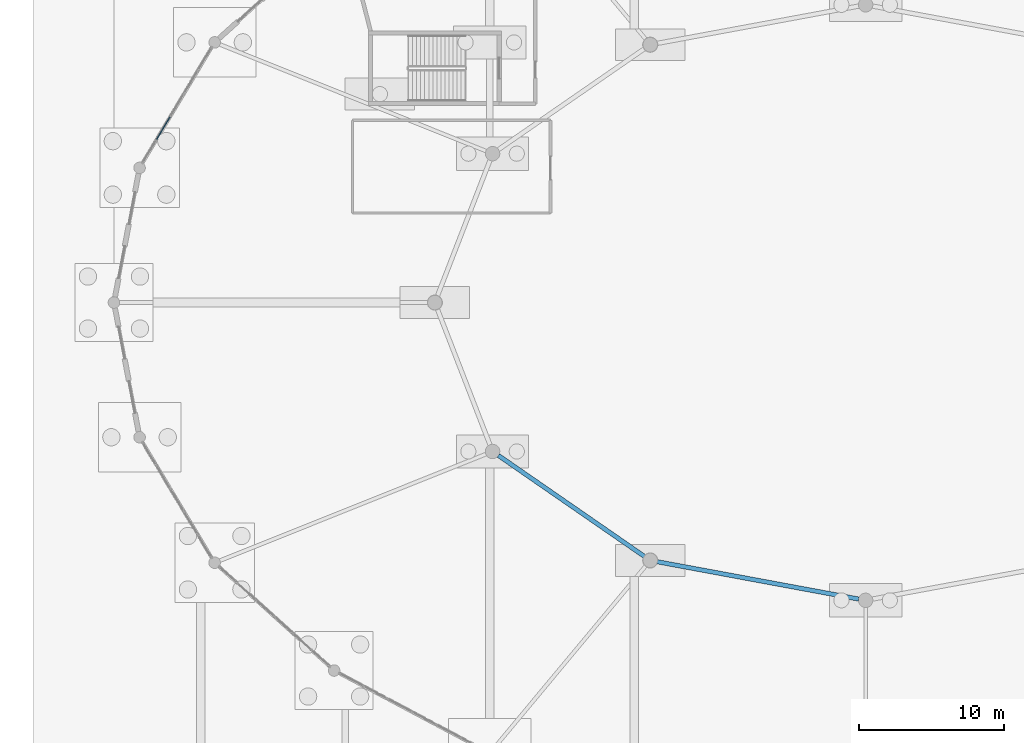
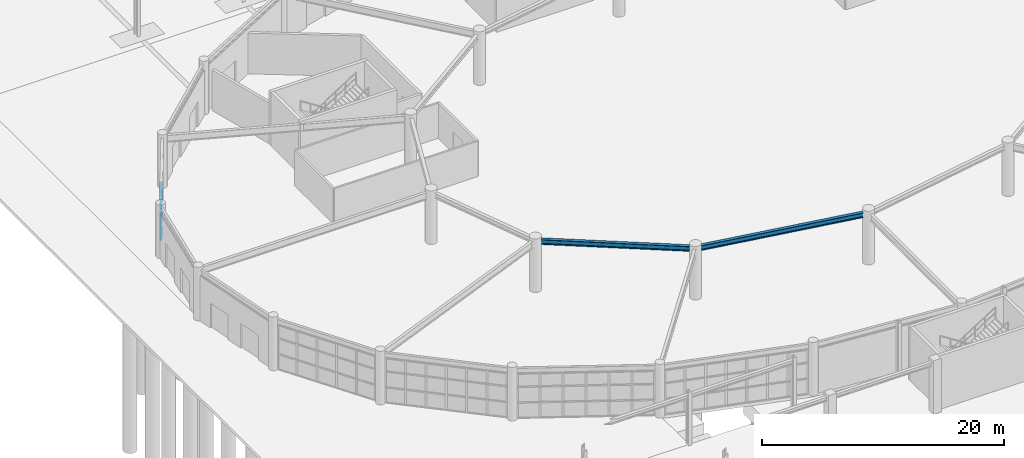
# One storey, part 40 of 99: 4 members, 2 beams, 1 element without a shape of its own.
"""IFC4 building model written with IfcOpenShell, lengths in metres."""

from ifc_helpers import new_model, si_unit, direction, frame, origin, origin_2d, place, context, subcontext, project, spatial, rectangle, i_section, extrude, material, layer, layer_set, material_profile, profile_set, type_object, element, aggregate, save


model = new_model("IFC4")

# Units and contexts
model_context = context("Model", 3, precision=1e-05, world=origin(), true_north=direction((0.0, 1.0)))
body_context = subcontext(model_context, "Body", "Model", "MODEL_VIEW")
ifc_project = project(units=[si_unit("LENGTHUNIT", "METRE"), si_unit("AREAUNIT", "SQUARE_METRE"), si_unit("VOLUMEUNIT", "CUBIC_METRE"), si_unit("PLANEANGLEUNIT", "RADIAN"), si_unit("MASSUNIT", "GRAM", prefix="KILO")], contexts=[model_context])

# Site, building, storey
site_placement = place(None, origin())
site = spatial("IfcSite", under=ifc_project, at=site_placement, CompositionType="ELEMENT")
building_placement = place(site_placement, origin())
building = spatial("IfcBuilding", under=site, at=building_placement, Name="Kivolera Central Railway Station", CompositionType="ELEMENT")
storey_placement = place(building_placement, origin())
storey = spatial("IfcBuildingStorey", under=building, at=storey_placement, Name="L00", CompositionType="ELEMENT", Elevation=0.0)

# Beams
ifc_material_1 = material(Name="Steel S355", Category="steel")
ifc_material_profile_1 = material_profile(ifc_material_1, i_section(OverallWidth=0.300048828125, OverallDepth=0.489990234375, WebThickness=0.011962890625, FlangeThickness=0.02294921875, FilletRadius=0.027099609375, at=origin_2d()), Name="HEA 500")
ifc_profile_set_1 = profile_set([ifc_material_profile_1], Name="Steel S355")
beam_type = type_object("IfcBeamType", Name="BM-SHD-HEA500", PredefinedType="BEAM", material=ifc_profile_set_1)
beam_1_placement = place(storey_placement, frame((38.594970703125, 79.4208984375, 4.863037109375), z_axis=(0.822641407904, -0.568560563179, 0.0), x_axis=(0.568560563179, 0.822641407904, 0.0)))
element("IfcBeam", 1, at=beam_1_placement, inside=storey, type_object=beam_type, Name="L00 Oval Inner Gallery Ring Beam 08", PredefinedType="BEAM", context=body_context, shape_type="SweptSolid", body=[
    extrude(i_section(OverallWidth=0.300048828125, OverallDepth=0.489990234375, WebThickness=0.011962890625, FlangeThickness=0.02294921875, FilletRadius=0.027099609375, at=origin_2d()), origin(), (0.0, 0.0, 1.0), 12.280029296875),
])
beam_2_placement = place(storey_placement, frame((49.58203125, 72.071044921875, 4.863037109375), z_axis=(0.983265780788, -0.182176849053, 0.0), x_axis=(0.182176849053, 0.983265780788, 0.0)))
element("IfcBeam", 2, at=beam_2_placement, inside=storey, type_object=beam_type, Name="L00 Oval Inner Gallery Ring Beam 09", PredefinedType="BEAM", context=body_context, shape_type="SweptSolid", body=[
    extrude(i_section(OverallWidth=0.300048828125, OverallDepth=0.489990234375, WebThickness=0.011962890625, FlangeThickness=0.02294921875, FilletRadius=0.027099609375, at=origin_2d()), origin(), (0.0, 0.0, 1.0), 14.173095703125),
])

# Curtain wall, members
ifc_material_2 = material(Name="Anodised aluminium", Category="aluminium")
ifc_layer = layer(ifc_material_2, 0.179931640625, Name="Anodised aluminium")
ifc_layer_set = layer_set([ifc_layer], Name="Anodised aluminium")
curtain_wall_type = type_object("IfcCurtainWallType", Name="CW-SYS-01", PredefinedType="NOTDEFINED", material=ifc_layer_set)
curtain_wall_placement = place(storey_placement, origin())
curtain_wall = element("IfcCurtainWall", 3, at=curtain_wall_placement, inside=storey, type_object=curtain_wall_type, Name="L00 Curtain Wall CW-L00-OVL-10", PredefinedType="NOTDEFINED")
ifc_material_profile_2 = material_profile(ifc_material_2, rectangle(XDim=0.070068359375, YDim=0.139892578125, at=origin_2d()), Name="ALU TRAN 70x140")
ifc_profile_set_2 = profile_set([ifc_material_profile_2], Name="Anodised aluminium")
member_type = type_object("IfcMemberType", Name="CWM-TRN-1", PredefinedType="USERDEFINED", material=ifc_profile_set_2)
member_1_placement = place(storey_placement, frame((14.951904296875, 101.28955078125, 0.034912109375), z_axis=(0.513494690452, 0.858092770554, 0.0), x_axis=(-0.858092770554, 0.513494690452, 0.0)))
member_1 = element("IfcMember", 4, at=member_1_placement, type_object=member_type, Name="CW-01 transom 2.1", ObjectType="TRANSOM", PredefinedType="USERDEFINED", context=body_context, shape_type="SweptSolid", body=[
    extrude(rectangle(XDim=0.070068359375, YDim=0.139892578125, at=origin_2d()), origin(), (0.0, 0.0, 1.0), 1.7939453125),
])
member_2_placement = place(storey_placement, frame((14.951904296875, 101.28955078125, 1.592529296875), z_axis=(0.513494690452, 0.858092770554, 0.0), x_axis=(-0.858092770554, 0.513494690452, 0.0)))
member_2 = element("IfcMember", 5, at=member_2_placement, type_object=member_type, Name="CW-01 transom 2.2", ObjectType="TRANSOM", PredefinedType="USERDEFINED", context=body_context, shape_type="SweptSolid", body=[
    extrude(rectangle(XDim=0.070068359375, YDim=0.139892578125, at=origin_2d()), origin(), (0.0, 0.0, 1.0), 1.7939453125),
])
member_3_placement = place(storey_placement, frame((14.951904296875, 101.28955078125, 3.18505859375), z_axis=(0.513494690452, 0.858092770554, 0.0), x_axis=(-0.858092770554, 0.513494690452, 0.0)))
member_3 = element("IfcMember", 6, at=member_3_placement, type_object=member_type, Name="CW-01 transom 2.3", ObjectType="TRANSOM", PredefinedType="USERDEFINED", context=body_context, shape_type="SweptSolid", body=[
    extrude(rectangle(XDim=0.070068359375, YDim=0.139892578125, at=origin_2d()), origin(), (0.0, 0.0, 1.0), 1.7939453125),
])
member_4_placement = place(storey_placement, frame((14.951904296875, 101.28955078125, 4.514892578125), z_axis=(0.513494690452, 0.858092770554, 0.0), x_axis=(-0.858092770554, 0.513494690452, 0.0)))
member_4 = element("IfcMember", 7, at=member_4_placement, type_object=member_type, Name="CW-01 transom 2.4", ObjectType="TRANSOM", PredefinedType="USERDEFINED", context=body_context, shape_type="SweptSolid", body=[
    extrude(rectangle(XDim=0.070068359375, YDim=0.139892578125, at=origin_2d()), origin(), (0.0, 0.0, 1.0), 1.7939453125),
])
aggregate(curtain_wall, [member_1, member_2, member_3, member_4])

save(model, "model.ifc")
